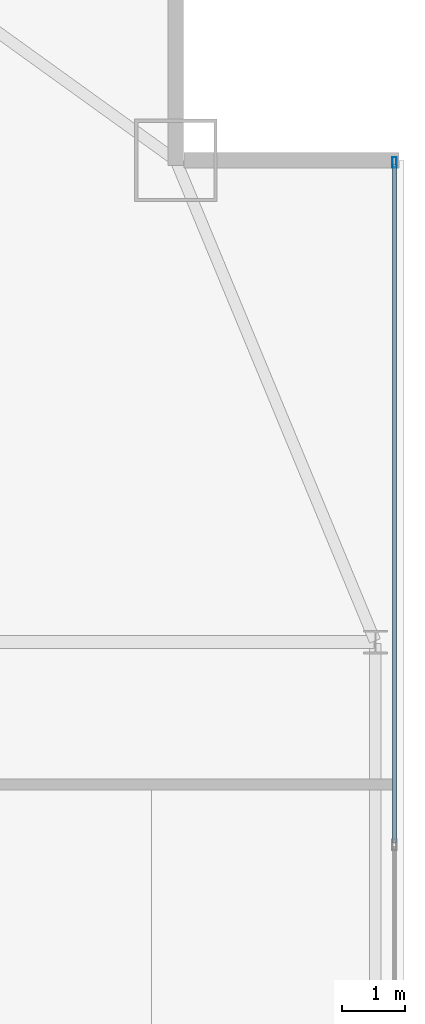
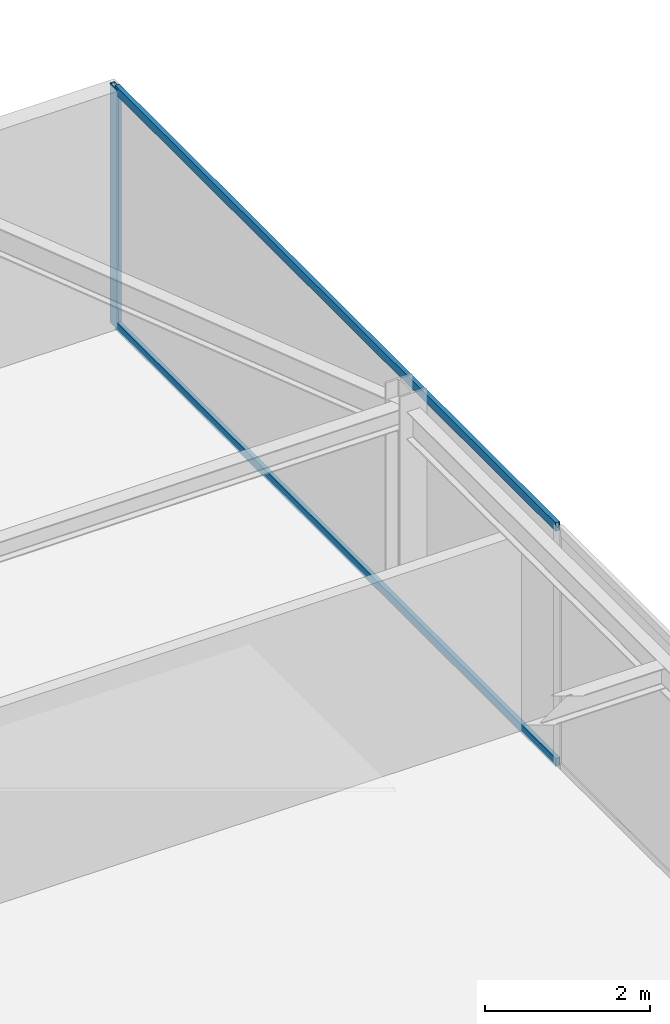
# One storey, part 23 of 32: 3 members, 1 element without a shape of its own.
"""IFC4 building model written with IfcOpenShell, lengths in metres."""

from ifc_helpers import new_model, si_unit, direction, frame, origin, origin_2d, place, context, subcontext, project, spatial, hollow_rectangle, extrude, source, transform, mapped, material, layer, layer_set, material_profile, profile_set, type_object, type_shapes, element, aggregate, save


model = new_model("IFC4")

# Units and contexts
model_context = context("Model", 3, precision=1e-05, world=origin(), true_north=direction((0.0, 1.0)))
body_context = subcontext(model_context, "Body", "Model", "MODEL_VIEW")
ifc_project = project(units=[si_unit("LENGTHUNIT", "METRE"), si_unit("AREAUNIT", "SQUARE_METRE"), si_unit("VOLUMEUNIT", "CUBIC_METRE"), si_unit("PLANEANGLEUNIT", "RADIAN"), si_unit("MASSUNIT", "GRAM", prefix="KILO")], contexts=[model_context])

# Site, building, storey
site_placement = place(None, origin())
site = spatial("IfcSite", under=ifc_project, at=site_placement, CompositionType="ELEMENT")
building_placement = place(site_placement, origin())
building = spatial("IfcBuilding", under=site, at=building_placement, Name="Varnel Quay Broadcast Tower", CompositionType="ELEMENT")
storey_placement = place(building_placement, frame((0.0, 0.0, 164.800048828125)))
storey = spatial("IfcBuildingStorey", under=building, at=storey_placement, Name="L40", CompositionType="ELEMENT", Elevation=164.800048828125)

# Curtain wall, members
ifc_material = material(Name="Anodised Bronze Aluminium 6063-T6", Category="aluminium")
ifc_layer = layer(ifc_material, 0.18994140625, Name="Anodised Bronze Aluminium 6063-T6")
ifc_layer_set = layer_set([ifc_layer], Name="Anodised Bronze Aluminium 6063-T6")
curtain_wall_type = type_object("IfcCurtainWallType", Name="CW_UpperTower", PredefinedType="NOTDEFINED", material=ifc_layer_set)
curtain_wall_placement = place(storey_placement, origin())
curtain_wall = element("IfcCurtainWall", 1, at=curtain_wall_placement, inside=storey, type_object=curtain_wall_type, Name="L40 East Unitised Curtain Wall", PredefinedType="NOTDEFINED")
ifc_material_profile_1 = material_profile(ifc_material, hollow_rectangle(XDim=0.06494140625, YDim=0.1650390625, WallThickness=0.00341796875, at=origin_2d()), Name="ALU65X165X3.5")
ifc_profile_set_1 = profile_set([ifc_material_profile_1], Name="Anodised Bronze Aluminium 6063-T6")
member_type_1 = type_object("IfcMemberType", Name="Mull_CWS-03", PredefinedType="MULLION", material=ifc_profile_set_1)
shared_shape_1 = source(origin(), body_context, "Body", "SweptSolid", [
    extrude(hollow_rectangle(XDim=0.06494140625, YDim=0.1650390625, WallThickness=0.00341796875, at=origin_2d()), origin(), (0.0, 0.0, 1.0), 3.550048828125),
])
type_shapes(member_type_1, [shared_shape_1])
member_1_placement = place(storey_placement, frame((60.85009765625, 43.16748046875, 0.0), z_axis=(0.0, 0.0, 1.0), x_axis=(-1.0, 0.0, 0.0)))
member_1 = element("IfcMember", 2, at=member_1_placement, type_object=member_type_1, Name="CWS-03 mullion 4", PredefinedType="MULLION", context=body_context, shape_type="MappedRepresentation", body=[
    mapped(shared_shape_1, transform((0.0, 0.0, 0.0), x_axis=(1.0, 0.0, 0.0), y_axis=(0.0, 1.0, 0.0), z_axis=(0.0, 0.0, 1.0), scale=1.0)),
])
ifc_material_profile_2 = material_profile(ifc_material, hollow_rectangle(XDim=0.06005859375, YDim=0.125, WallThickness=0.0029296875, at=origin_2d()), Name="ALU60X125X3")
ifc_profile_set_2 = profile_set([ifc_material_profile_2], Name="Anodised Bronze Aluminium 6063-T6")
member_type_2 = type_object("IfcMemberType", Name="Tran_CWS-03", PredefinedType="USERDEFINED", material=ifc_profile_set_2)
shared_shape_2 = source(origin(), body_context, "Body", "SweptSolid", [
    extrude(hollow_rectangle(XDim=0.06005859375, YDim=0.125, WallThickness=0.0029296875, at=origin_2d()), origin(), (0.0, 0.0, 1.0), 10.702392578125),
])
type_shapes(member_type_2, [shared_shape_2])
member_2_placement = place(storey_placement, frame((60.85009765625, 32.4326171875, 0.030029296875), z_axis=(0.0, 1.0, 0.0), x_axis=(-1.0, 0.0, 0.0)))
member_2 = element("IfcMember", 3, at=member_2_placement, type_object=member_type_2, Name="CWS-03 transom 3.1", ObjectType="TRANSOM", PredefinedType="USERDEFINED", context=body_context, shape_type="MappedRepresentation", body=[
    mapped(shared_shape_2, transform((0.0, 0.0, 0.0), x_axis=(1.0, 0.0, 0.0), y_axis=(0.0, 1.0, 0.0), z_axis=(0.0, 0.0, 1.0), scale=1.0)),
])
member_3_placement = place(storey_placement, frame((60.85009765625, 32.4326171875, 3.52001953125), z_axis=(0.0, 1.0, 0.0), x_axis=(-1.0, 0.0, 0.0)))
member_3 = element("IfcMember", 4, at=member_3_placement, type_object=member_type_2, Name="CWS-03 transom 3.2", ObjectType="TRANSOM", PredefinedType="USERDEFINED", context=body_context, shape_type="MappedRepresentation", body=[
    mapped(shared_shape_2, transform((0.0, 0.0, 0.0), x_axis=(1.0, 0.0, 0.0), y_axis=(0.0, 1.0, 0.0), z_axis=(0.0, 0.0, 1.0), scale=1.0)),
])
aggregate(curtain_wall, [member_1, member_2, member_3])

save(model, "model.ifc")
